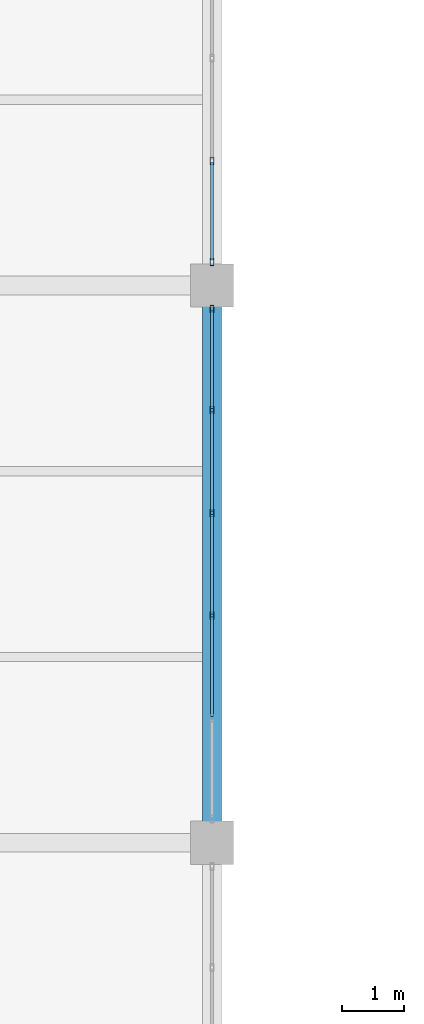
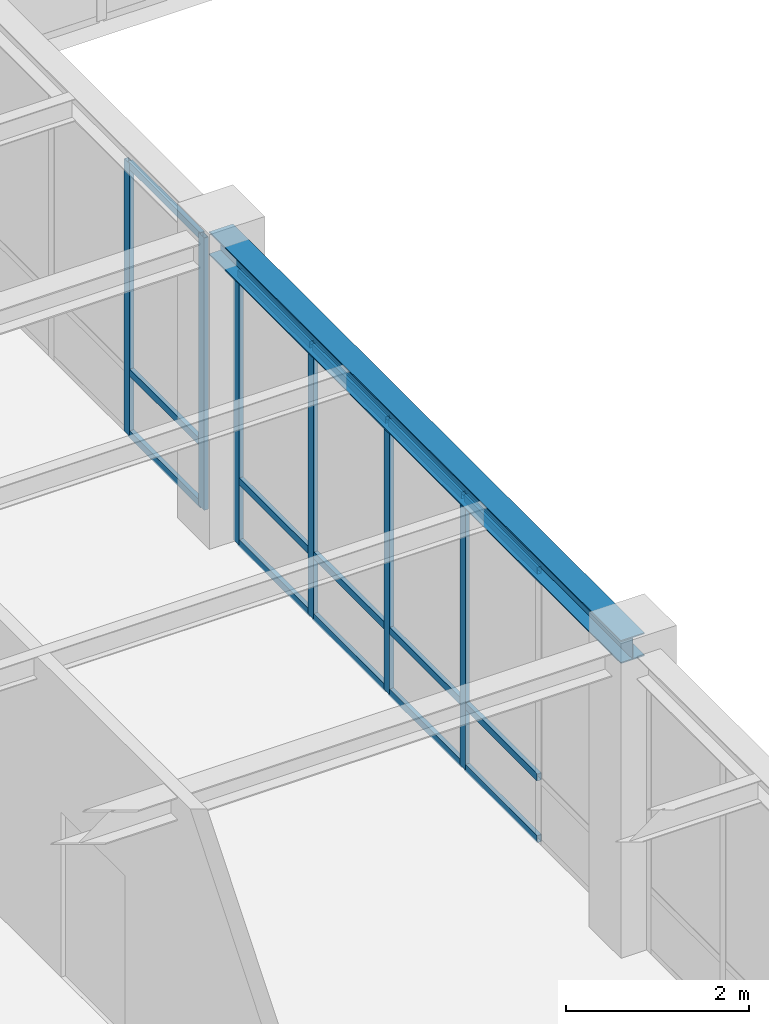
# One storey, part 43 of 108: 21 members, 1 beam, 2 elements without a shape of their own.
"""IFC4 building model written with IfcOpenShell, lengths in metres."""

from ifc_helpers import new_model, si_unit, direction, frame, origin, origin_2d, place, context, subcontext, project, spatial, hollow_rectangle, i_section, extrude, material, material_profile, profile_set, type_object, element, aggregate, save


model = new_model("IFC4")

# Units and contexts
model_context = context("Model", 3, precision=1e-05, world=origin(), true_north=direction((0.0, 1.0)))
body_context = subcontext(model_context, "Body", "Model", "MODEL_VIEW")
ifc_project = project(units=[si_unit("LENGTHUNIT", "METRE"), si_unit("AREAUNIT", "SQUARE_METRE"), si_unit("VOLUMEUNIT", "CUBIC_METRE"), si_unit("PLANEANGLEUNIT", "RADIAN"), si_unit("MASSUNIT", "GRAM", prefix="KILO")], contexts=[model_context])

# Site, building, storey
site_placement = place(None, origin())
site = spatial("IfcSite", under=ifc_project, at=site_placement, CompositionType="ELEMENT")
building_placement = place(site_placement, origin())
building = spatial("IfcBuilding", under=site, at=building_placement, Name="Lykobir Media Centre", CompositionType="ELEMENT")
storey_placement = place(building_placement, frame((0.0, 0.0, 15.0)))
storey = spatial("IfcBuildingStorey", under=building, at=storey_placement, Name="L03", CompositionType="ELEMENT", Elevation=15.0)

# Beam
ifc_material_1 = material(Name="Steel S355", Category="steel")
ifc_material_profile_1 = material_profile(ifc_material_1, i_section(OverallWidth=0.300048828125, OverallDepth=0.31005859375, WebThickness=0.009033203125, FlangeThickness=0.015380859375, at=origin_2d()), Name="HEA 320")
ifc_profile_set_1 = profile_set([ifc_material_profile_1], Name="Steel S355")
beam_type = type_object("IfcBeamType", Name="BM-HEA320", PredefinedType="BEAM", material=ifc_profile_set_1)
beam_placement = place(storey_placement, frame((36.0, 45.0, 3.804931640625), z_axis=(0.0, 1.0, 0.0), x_axis=(-1.0, 0.0, 0.0)))
element("IfcBeam", 1, at=beam_placement, inside=storey, type_object=beam_type, Name="Beam BM-L03-0360-0450-0360-0540-1880", PredefinedType="BEAM", context=body_context, shape_type="SweptSolid", body=[
    extrude(i_section(OverallWidth=0.300048828125, OverallDepth=0.31005859375, WebThickness=0.009033203125, FlangeThickness=0.015380859375, at=origin_2d()), origin(), (0.0, 0.0, 1.0), 9.0),
])

# Curtain wall, members
ifc_material_2 = material(Name="Anodized Aluminium AW-6060", Category="aluminium")
curtain_wall_type = type_object("IfcCurtainWallType", Name="CW-COURT-B", PredefinedType="NOTDEFINED", material=ifc_material_2)
curtain_wall_1_placement = place(storey_placement, origin())
curtain_wall_1 = element("IfcCurtainWall", 2, at=curtain_wall_1_placement, inside=storey, type_object=curtain_wall_type, Name="Curtain wall CW2-L03-0118", PredefinedType="NOTDEFINED")
ifc_material_profile_2 = material_profile(ifc_material_2, hollow_rectangle(XDim=0.054931640625, YDim=0.1201171875, WallThickness=0.003173828125, at=origin_2d()), Name="ALU MULLION 55x120")
ifc_profile_set_2 = profile_set([ifc_material_profile_2], Name="Anodized Aluminium AW-6060")
member_type_1 = type_object("IfcMemberType", Name="CWM-120", PredefinedType="MULLION", material=ifc_profile_set_2)
member_1_placement = place(storey_placement, frame((36.0, 53.617431640625, 0.0), z_axis=(0.0, 0.0, 1.0), x_axis=(1.0, 0.0, 0.0)))
member_1 = element("IfcMember", 3, at=member_1_placement, type_object=member_type_1, Name="CW2-L03-0118 mullion 1", PredefinedType="MULLION", context=body_context, shape_type="SweptSolid", body=[
    extrude(hollow_rectangle(XDim=0.054931640625, YDim=0.1201171875, WallThickness=0.003173828125, at=origin_2d()), origin(), (0.0, 0.0, 1.0), 3.635009765625),
])
member_2_placement = place(storey_placement, frame((36.0, 51.987060546875, 0.0), z_axis=(0.0, 0.0, 1.0), x_axis=(1.0, 0.0, 0.0)))
member_2 = element("IfcMember", 4, at=member_2_placement, type_object=member_type_1, Name="CW2-L03-0118 mullion 2", PredefinedType="MULLION", context=body_context, shape_type="SweptSolid", body=[
    extrude(hollow_rectangle(XDim=0.054931640625, YDim=0.1201171875, WallThickness=0.003173828125, at=origin_2d()), origin(), (0.0, 0.0, 1.0), 3.635009765625),
])
member_3_placement = place(storey_placement, frame((36.0, 50.3291015625, 0.0), z_axis=(0.0, 0.0, 1.0), x_axis=(1.0, 0.0, 0.0)))
member_3 = element("IfcMember", 5, at=member_3_placement, type_object=member_type_1, Name="CW2-L03-0118 mullion 3", PredefinedType="MULLION", context=body_context, shape_type="SweptSolid", body=[
    extrude(hollow_rectangle(XDim=0.054931640625, YDim=0.1201171875, WallThickness=0.003173828125, at=origin_2d()), origin(), (0.0, 0.0, 1.0), 3.635009765625),
])
member_4_placement = place(storey_placement, frame((36.0, 48.6708984375, 0.0), z_axis=(0.0, 0.0, 1.0), x_axis=(1.0, 0.0, 0.0)))
member_4 = element("IfcMember", 6, at=member_4_placement, type_object=member_type_1, Name="CW2-L03-0118 mullion 4", PredefinedType="MULLION", context=body_context, shape_type="SweptSolid", body=[
    extrude(hollow_rectangle(XDim=0.054931640625, YDim=0.1201171875, WallThickness=0.003173828125, at=origin_2d()), origin(), (0.0, 0.0, 1.0), 3.635009765625),
])

curtain_wall_2_placement = place(storey_placement, origin())
curtain_wall_2 = element("IfcCurtainWall", 7, at=curtain_wall_2_placement, inside=storey, type_object=curtain_wall_type, Name="Curtain wall CW2-L03-0119", PredefinedType="NOTDEFINED")
member_5_placement = place(storey_placement, frame((36.0, 56.012939453125, 0.0), z_axis=(0.0, 0.0, 1.0), x_axis=(1.0, 0.0, 0.0)))
member_5 = element("IfcMember", 8, at=member_5_placement, type_object=member_type_1, Name="CW2-L03-0119 mullion 5", PredefinedType="MULLION", context=body_context, shape_type="SweptSolid", body=[
    extrude(hollow_rectangle(XDim=0.054931640625, YDim=0.1201171875, WallThickness=0.003173828125, at=origin_2d()), origin(), (0.0, 0.0, 1.0), 3.635009765625),
])
member_6_placement = place(storey_placement, frame((36.0, 54.382568359375, 0.0), z_axis=(0.0, 0.0, 1.0), x_axis=(1.0, 0.0, 0.0)))
member_6 = element("IfcMember", 9, at=member_6_placement, type_object=member_type_1, Name="CW2-L03-0119 mullion 6", PredefinedType="MULLION", context=body_context, shape_type="SweptSolid", body=[
    extrude(hollow_rectangle(XDim=0.054931640625, YDim=0.1201171875, WallThickness=0.003173828125, at=origin_2d()), origin(), (0.0, 0.0, 1.0), 3.635009765625),
])

# Member
ifc_material_profile_3 = material_profile(ifc_material_2, hollow_rectangle(XDim=0.054931640625, YDim=0.094970703125, WallThickness=0.0029296875, at=origin_2d()), Name="ALU TRANSOM 55x95")
ifc_profile_set_3 = profile_set([ifc_material_profile_3], Name="Anodized Aluminium AW-6060")
member_type_2 = type_object("IfcMemberType", Name="CWT-095", PredefinedType="USERDEFINED", material=ifc_profile_set_3)
member_7_placement = place(storey_placement, frame((36.0, 53.590087890625, 0.027587890625), z_axis=(0.0, -1.0, 0.0), x_axis=(1.0, 0.0, 0.0)))
member_7 = element("IfcMember", 10, at=member_7_placement, type_object=member_type_2, Name="CW2-L03-0118 transom 1.1", ObjectType="TRANSOM", PredefinedType="USERDEFINED", context=body_context, shape_type="SweptSolid", body=[
    extrude(hollow_rectangle(XDim=0.054931640625, YDim=0.094970703125, WallThickness=0.0029296875, at=origin_2d()), origin(), (0.0, 0.0, 1.0), 1.57568359375),
])

member_8_placement = place(storey_placement, frame((36.0, 53.590087890625, 0.85009765625), z_axis=(0.0, -1.0, 0.0), x_axis=(1.0, 0.0, 0.0)))
member_8 = element("IfcMember", 11, at=member_8_placement, type_object=member_type_2, Name="CW2-L03-0118 transom 1.2", ObjectType="TRANSOM", PredefinedType="USERDEFINED", context=body_context, shape_type="SweptSolid", body=[
    extrude(hollow_rectangle(XDim=0.054931640625, YDim=0.094970703125, WallThickness=0.0029296875, at=origin_2d()), origin(), (0.0, 0.0, 1.0), 1.57568359375),
])

member_9_placement = place(storey_placement, frame((36.0, 53.590087890625, 3.607421875), z_axis=(0.0, -1.0, 0.0), x_axis=(1.0, 0.0, 0.0)))
member_9 = element("IfcMember", 12, at=member_9_placement, type_object=member_type_2, Name="CW2-L03-0118 transom 1.3", ObjectType="TRANSOM", PredefinedType="USERDEFINED", context=body_context, shape_type="SweptSolid", body=[
    extrude(hollow_rectangle(XDim=0.054931640625, YDim=0.094970703125, WallThickness=0.0029296875, at=origin_2d()), origin(), (0.0, 0.0, 1.0), 1.57568359375),
])

member_10_placement = place(storey_placement, frame((36.0, 51.95947265625, 0.027587890625), z_axis=(0.0, -1.0, 0.0), x_axis=(1.0, 0.0, 0.0)))
member_10 = element("IfcMember", 13, at=member_10_placement, type_object=member_type_2, Name="CW2-L03-0118 transom 2.1", ObjectType="TRANSOM", PredefinedType="USERDEFINED", context=body_context, shape_type="SweptSolid", body=[
    extrude(hollow_rectangle(XDim=0.054931640625, YDim=0.094970703125, WallThickness=0.0029296875, at=origin_2d()), origin(), (0.0, 0.0, 1.0), 1.60302734375),
])

member_11_placement = place(storey_placement, frame((36.0, 51.95947265625, 0.85009765625), z_axis=(0.0, -1.0, 0.0), x_axis=(1.0, 0.0, 0.0)))
member_11 = element("IfcMember", 14, at=member_11_placement, type_object=member_type_2, Name="CW2-L03-0118 transom 2.2", ObjectType="TRANSOM", PredefinedType="USERDEFINED", context=body_context, shape_type="SweptSolid", body=[
    extrude(hollow_rectangle(XDim=0.054931640625, YDim=0.094970703125, WallThickness=0.0029296875, at=origin_2d()), origin(), (0.0, 0.0, 1.0), 1.60302734375),
])

member_12_placement = place(storey_placement, frame((36.0, 51.95947265625, 3.607421875), z_axis=(0.0, -1.0, 0.0), x_axis=(1.0, 0.0, 0.0)))
member_12 = element("IfcMember", 15, at=member_12_placement, type_object=member_type_2, Name="CW2-L03-0118 transom 2.3", ObjectType="TRANSOM", PredefinedType="USERDEFINED", context=body_context, shape_type="SweptSolid", body=[
    extrude(hollow_rectangle(XDim=0.054931640625, YDim=0.094970703125, WallThickness=0.0029296875, at=origin_2d()), origin(), (0.0, 0.0, 1.0), 1.60302734375),
])

member_13_placement = place(storey_placement, frame((36.0, 50.301513671875, 0.027587890625), z_axis=(0.0, -1.0, 0.0), x_axis=(1.0, 0.0, 0.0)))
member_13 = element("IfcMember", 16, at=member_13_placement, type_object=member_type_2, Name="CW2-L03-0118 transom 3.1", ObjectType="TRANSOM", PredefinedType="USERDEFINED", context=body_context, shape_type="SweptSolid", body=[
    extrude(hollow_rectangle(XDim=0.054931640625, YDim=0.094970703125, WallThickness=0.0029296875, at=origin_2d()), origin(), (0.0, 0.0, 1.0), 1.60302734375),
])

member_14_placement = place(storey_placement, frame((36.0, 50.301513671875, 0.85009765625), z_axis=(0.0, -1.0, 0.0), x_axis=(1.0, 0.0, 0.0)))
member_14 = element("IfcMember", 17, at=member_14_placement, type_object=member_type_2, Name="CW2-L03-0118 transom 3.2", ObjectType="TRANSOM", PredefinedType="USERDEFINED", context=body_context, shape_type="SweptSolid", body=[
    extrude(hollow_rectangle(XDim=0.054931640625, YDim=0.094970703125, WallThickness=0.0029296875, at=origin_2d()), origin(), (0.0, 0.0, 1.0), 1.60302734375),
])

member_15_placement = place(storey_placement, frame((36.0, 50.301513671875, 3.607421875), z_axis=(0.0, -1.0, 0.0), x_axis=(1.0, 0.0, 0.0)))
member_15 = element("IfcMember", 18, at=member_15_placement, type_object=member_type_2, Name="CW2-L03-0118 transom 3.3", ObjectType="TRANSOM", PredefinedType="USERDEFINED", context=body_context, shape_type="SweptSolid", body=[
    extrude(hollow_rectangle(XDim=0.054931640625, YDim=0.094970703125, WallThickness=0.0029296875, at=origin_2d()), origin(), (0.0, 0.0, 1.0), 1.60302734375),
])

member_16_placement = place(storey_placement, frame((36.0, 48.6435546875, 0.027587890625), z_axis=(0.0, -1.0, 0.0), x_axis=(1.0, 0.0, 0.0)))
member_16 = element("IfcMember", 19, at=member_16_placement, type_object=member_type_2, Name="CW2-L03-0118 transom 4.1", ObjectType="TRANSOM", PredefinedType="USERDEFINED", context=body_context, shape_type="SweptSolid", body=[
    extrude(hollow_rectangle(XDim=0.054931640625, YDim=0.094970703125, WallThickness=0.0029296875, at=origin_2d()), origin(), (0.0, 0.0, 1.0), 1.60302734375),
])

member_17_placement = place(storey_placement, frame((36.0, 48.6435546875, 0.85009765625), z_axis=(0.0, -1.0, 0.0), x_axis=(1.0, 0.0, 0.0)))
member_17 = element("IfcMember", 20, at=member_17_placement, type_object=member_type_2, Name="CW2-L03-0118 transom 4.2", ObjectType="TRANSOM", PredefinedType="USERDEFINED", context=body_context, shape_type="SweptSolid", body=[
    extrude(hollow_rectangle(XDim=0.054931640625, YDim=0.094970703125, WallThickness=0.0029296875, at=origin_2d()), origin(), (0.0, 0.0, 1.0), 1.60302734375),
])

member_18_placement = place(storey_placement, frame((36.0, 48.6435546875, 3.607421875), z_axis=(0.0, -1.0, 0.0), x_axis=(1.0, 0.0, 0.0)))
member_18 = element("IfcMember", 21, at=member_18_placement, type_object=member_type_2, Name="CW2-L03-0118 transom 4.3", ObjectType="TRANSOM", PredefinedType="USERDEFINED", context=body_context, shape_type="SweptSolid", body=[
    extrude(hollow_rectangle(XDim=0.054931640625, YDim=0.094970703125, WallThickness=0.0029296875, at=origin_2d()), origin(), (0.0, 0.0, 1.0), 1.60302734375),
])

aggregate(curtain_wall_1, [member_1, member_2, member_3, member_4, member_7, member_8, member_9, member_10, member_11, member_12, member_13, member_14, member_15, member_16, member_17, member_18])

member_19_placement = place(storey_placement, frame((36.0, 55.985595703125, 0.027587890625), z_axis=(0.0, -1.0, 0.0), x_axis=(1.0, 0.0, 0.0)))
member_19 = element("IfcMember", 22, at=member_19_placement, type_object=member_type_2, Name="CW2-L03-0119 transom 5.1", ObjectType="TRANSOM", PredefinedType="USERDEFINED", context=body_context, shape_type="SweptSolid", body=[
    extrude(hollow_rectangle(XDim=0.054931640625, YDim=0.094970703125, WallThickness=0.0029296875, at=origin_2d()), origin(), (0.0, 0.0, 1.0), 1.57568359375),
])

member_20_placement = place(storey_placement, frame((36.0, 55.985595703125, 0.85009765625), z_axis=(0.0, -1.0, 0.0), x_axis=(1.0, 0.0, 0.0)))
member_20 = element("IfcMember", 23, at=member_20_placement, type_object=member_type_2, Name="CW2-L03-0119 transom 5.2", ObjectType="TRANSOM", PredefinedType="USERDEFINED", context=body_context, shape_type="SweptSolid", body=[
    extrude(hollow_rectangle(XDim=0.054931640625, YDim=0.094970703125, WallThickness=0.0029296875, at=origin_2d()), origin(), (0.0, 0.0, 1.0), 1.57568359375),
])

member_21_placement = place(storey_placement, frame((36.0, 55.985595703125, 3.607421875), z_axis=(0.0, -1.0, 0.0), x_axis=(1.0, 0.0, 0.0)))
member_21 = element("IfcMember", 24, at=member_21_placement, type_object=member_type_2, Name="CW2-L03-0119 transom 5.3", ObjectType="TRANSOM", PredefinedType="USERDEFINED", context=body_context, shape_type="SweptSolid", body=[
    extrude(hollow_rectangle(XDim=0.054931640625, YDim=0.094970703125, WallThickness=0.0029296875, at=origin_2d()), origin(), (0.0, 0.0, 1.0), 1.57568359375),
])

aggregate(curtain_wall_2, [member_5, member_6, member_19, member_20, member_21])

save(model, "model.ifc")
